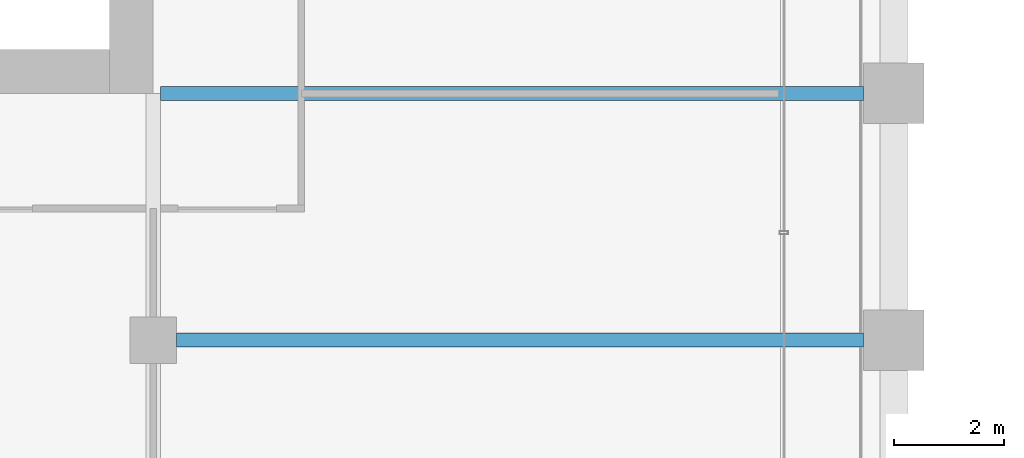
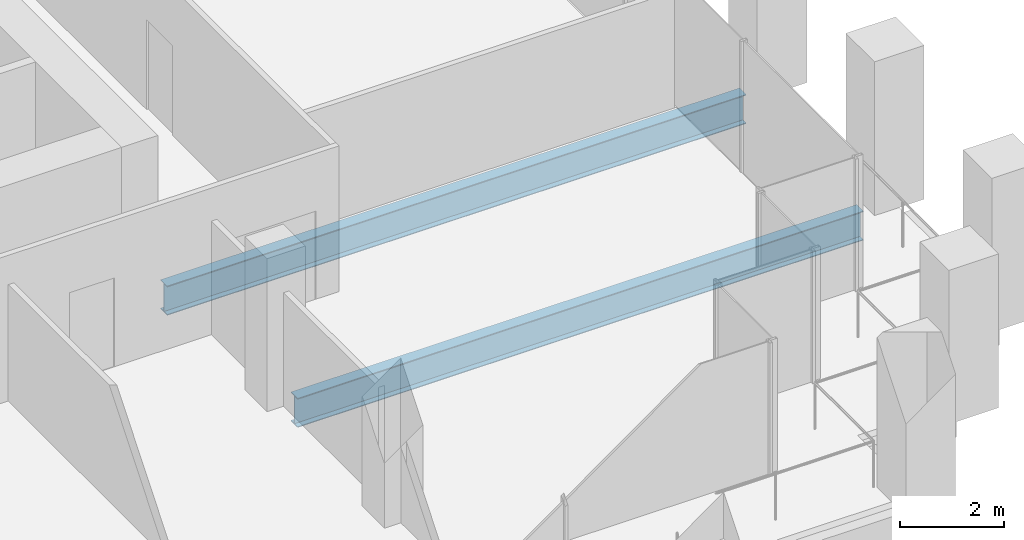
# One storey, part 17 of 56: 2 beams.
"""IFC4 building model written with IfcOpenShell, lengths in metres."""

from ifc_helpers import new_model, si_unit, direction, frame, origin, origin_2d, place, context, subcontext, project, spatial, i_section, extrude, material, material_profile, profile_set, type_object, element, save


model = new_model("IFC4")

# Units and contexts
model_context = context("Model", 3, precision=1e-05, world=origin(), true_north=direction((0.0, 1.0)))
body_context = subcontext(model_context, "Body", "Model", "MODEL_VIEW")
ifc_project = project(units=[si_unit("LENGTHUNIT", "METRE"), si_unit("AREAUNIT", "SQUARE_METRE"), si_unit("VOLUMEUNIT", "CUBIC_METRE"), si_unit("PLANEANGLEUNIT", "RADIAN"), si_unit("MASSUNIT", "GRAM", prefix="KILO")], contexts=[model_context])

# Site, building, storey
site_placement = place(None, origin())
site = spatial("IfcSite", under=ifc_project, at=site_placement, CompositionType="ELEMENT")
building_placement = place(site_placement, origin())
building = spatial("IfcBuilding", under=site, at=building_placement, Name="Altepetl Exchange Towers", CompositionType="ELEMENT")
storey_placement = place(building_placement, frame((0.0, 0.0, 51.0)))
storey = spatial("IfcBuildingStorey", under=building, at=storey_placement, Name="L11", CompositionType="ELEMENT", Elevation=51.0)

# Beams
ifc_material = material(Name="Steel S355", Category="steel")
ifc_material_profile = material_profile(ifc_material, i_section(OverallWidth=0.25390625, OverallDepth=0.68408203125, WebThickness=0.012451171875, FlangeThickness=0.018798828125, at=origin_2d()), Name="W27X94")
ifc_profile_set = profile_set([ifc_material_profile], Name="Steel S355")
beam_type = type_object("IfcBeamType", Name="Floor beam W27X94", PredefinedType="BEAM", material=ifc_profile_set)
beam_1_placement = place(storey_placement, frame((58.925048828125, 36.0, -0.491943359375), z_axis=(1.0, 0.0, 0.0), x_axis=(0.0, 1.0, 0.0)))
element("IfcBeam", 1, at=beam_1_placement, inside=storey, type_object=beam_type, Name="bm:A:L11:007", PredefinedType="BEAM", context=body_context, shape_type="SweptSolid", body=[
    extrude(i_section(OverallWidth=0.25390625, OverallDepth=0.68408203125, WebThickness=0.012451171875, FlangeThickness=0.018798828125, at=origin_2d()), origin(), (0.0, 0.0, 1.0), 12.52490234375),
])
beam_2_placement = place(storey_placement, frame((58.634033203125, 40.5, -0.491943359375), z_axis=(1.0, 0.0, 0.0), x_axis=(0.0, 1.0, 0.0)))
element("IfcBeam", 2, at=beam_2_placement, inside=storey, type_object=beam_type, Name="bm:A:L11:008", PredefinedType="BEAM", context=body_context, shape_type="SweptSolid", body=[
    extrude(i_section(OverallWidth=0.25390625, OverallDepth=0.68408203125, WebThickness=0.012451171875, FlangeThickness=0.018798828125, at=origin_2d()), origin(), (0.0, 0.0, 1.0), 12.81591796875),
])

save(model, "model.ifc")
